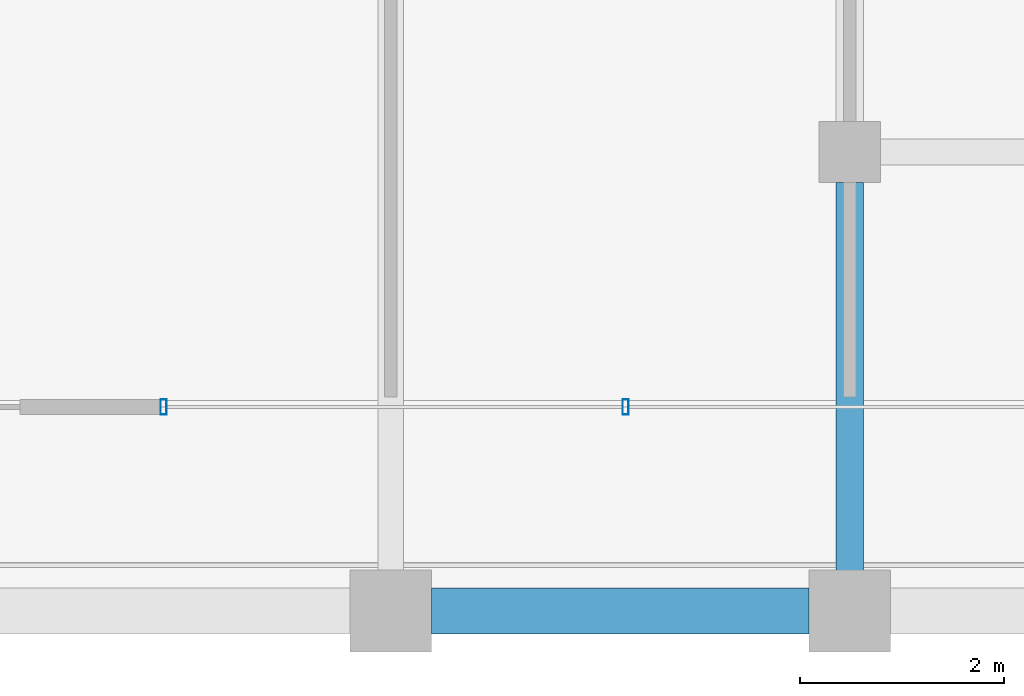
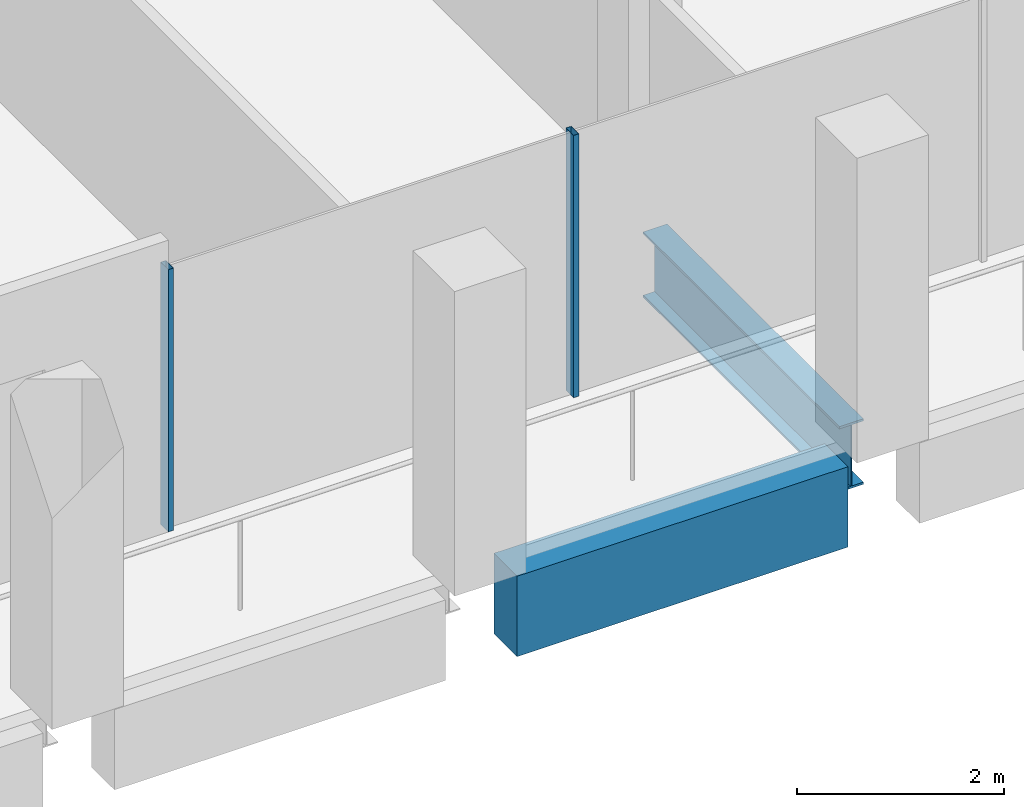
# One storey, part 9 of 30: 2 beams, 2 members, 1 element without a shape of its own.
"""IFC4 building model written with IfcOpenShell, lengths in metres."""

from ifc_helpers import new_model, si_unit, direction, frame, origin, origin_2d, place, context, subcontext, project, spatial, rectangle, hollow_rectangle, i_section, extrude, material, material_profile, profile_set, type_object, element, aggregate, save


model = new_model("IFC4")

# Units and contexts
model_context = context("Model", 3, precision=1e-05, world=origin(), true_north=direction((0.0, 1.0)))
body_context = subcontext(model_context, "Body", "Model", "MODEL_VIEW")
ifc_project = project(units=[si_unit("LENGTHUNIT", "METRE"), si_unit("AREAUNIT", "SQUARE_METRE"), si_unit("VOLUMEUNIT", "CUBIC_METRE"), si_unit("PLANEANGLEUNIT", "RADIAN"), si_unit("MASSUNIT", "GRAM", prefix="KILO")], contexts=[model_context])

# Site, building, storey
site_placement = place(None, origin())
site = spatial("IfcSite", under=ifc_project, at=site_placement, CompositionType="ELEMENT")
building_placement = place(site_placement, origin())
building = spatial("IfcBuilding", under=site, at=building_placement, Name="Altepetl Exchange Towers", CompositionType="ELEMENT")
storey_placement = place(building_placement, frame((0.0, 0.0, 220.800048828125)))
storey = spatial("IfcBuildingStorey", under=building, at=storey_placement, Name="L56", CompositionType="ELEMENT", Elevation=220.800048828125)

# Beam
ifc_material_1 = material(Name="Steel S355", Category="steel")
ifc_material_profile_1 = material_profile(ifc_material_1, i_section(OverallWidth=0.26806640625, OverallDepth=0.77392578125, WebThickness=0.015380859375, FlangeThickness=0.025390625, at=origin_2d()), Name="W30X132")
ifc_profile_set_1 = profile_set([ifc_material_profile_1], Name="Steel S355")
beam_type_1 = type_object("IfcBeamType", Name="Girder W30X132", PredefinedType="BEAM", material=ifc_profile_set_1)
beam_1_placement = place(storey_placement, frame((58.5, 31.199951171875, -0.537109375), z_axis=(0.0, -1.0, 0.0), x_axis=(1.0, 0.0, 0.0)))
element("IfcBeam", 1, at=beam_1_placement, inside=storey, type_object=beam_type_1, Name="gd:A:L56:005", PredefinedType="BEAM", context=body_context, shape_type="SweptSolid", body=[
    extrude(i_section(OverallWidth=0.26806640625, OverallDepth=0.77392578125, WebThickness=0.015380859375, FlangeThickness=0.025390625, at=origin_2d()), origin(), (0.0, 0.0, 1.0), 3.800048828125),
])

# Curtain wall, members
ifc_material_2 = material(Name="Aluminium 6063-T6 glazing", Category="aluminium")
curtain_wall_type = type_object("IfcCurtainWallType", Name="Loggia glazing system", PredefinedType="NOTDEFINED", material=ifc_material_2)
curtain_wall_placement = place(storey_placement, origin())
curtain_wall = element("IfcCurtainWall", 2, at=curtain_wall_placement, inside=storey, type_object=curtain_wall_type, Name="CW1 run", PredefinedType="NOTDEFINED")
ifc_material_3 = material(Name="Aluminium 6063-T6", Category="aluminium")
ifc_material_profile_2 = material_profile(ifc_material_3, hollow_rectangle(XDim=0.06005859375, YDim=0.14990234375, WallThickness=0.0029296875, at=origin_2d()), Name="Mullion 60x150 aluminium")
ifc_profile_set_2 = profile_set([ifc_material_profile_2], Name="Aluminium 6063-T6")
member_type = type_object("IfcMemberType", Name="Mullion 60x150 aluminium", PredefinedType="MULLION", material=ifc_profile_set_2)
member_1_placement = place(storey_placement, frame((51.77294921875, 29.0, 0.0)))
member_1 = element("IfcMember", 3, at=member_1_placement, type_object=member_type, Name="MU1 mullion", PredefinedType="MULLION", context=body_context, shape_type="SweptSolid", body=[
    extrude(hollow_rectangle(XDim=0.06005859375, YDim=0.14990234375, WallThickness=0.0029296875, at=origin_2d()), origin(), (0.0, 0.0, 1.0), 3.099853515625),
])
member_2_placement = place(storey_placement, frame((56.303466796875, 29.0, 0.0)))
member_2 = element("IfcMember", 4, at=member_2_placement, type_object=member_type, Name="MU1 mullion", PredefinedType="MULLION", context=body_context, shape_type="SweptSolid", body=[
    extrude(hollow_rectangle(XDim=0.06005859375, YDim=0.14990234375, WallThickness=0.0029296875, at=origin_2d()), origin(), (0.0, 0.0, 1.0), 3.099853515625),
])
aggregate(curtain_wall, [member_1, member_2])

# Beam
ifc_material_4 = material(Name="Concrete C50/60 precast with cantera blanca facing", Category="concrete")
ifc_material_profile_3 = material_profile(ifc_material_4, rectangle(XDim=0.449951171875, YDim=0.949951171875, at=origin_2d()), Name="450 x 950")
ifc_profile_set_3 = profile_set([ifc_material_profile_3], Name="Concrete C50/60 precast with cantera blanca facing")
beam_type_2 = type_object("IfcBeamType", Name="Spandrel beam 450x950 cantera blanca", PredefinedType="SPANDREL", material=ifc_profile_set_3)
beam_2_placement = place(storey_placement, frame((54.39990234375, 27.0, -0.625), z_axis=(1.0, 0.0, 0.0), x_axis=(0.0, 1.0, 0.0)))
element("IfcBeam", 5, at=beam_2_placement, inside=storey, type_object=beam_type_2, Name="sp:A:L56:005", PredefinedType="SPANDREL", context=body_context, shape_type="SweptSolid", body=[
    extrude(rectangle(XDim=0.449951171875, YDim=0.949951171875, at=origin_2d()), origin(), (0.0, 0.0, 1.0), 3.7001953125),
])

save(model, "model.ifc")
